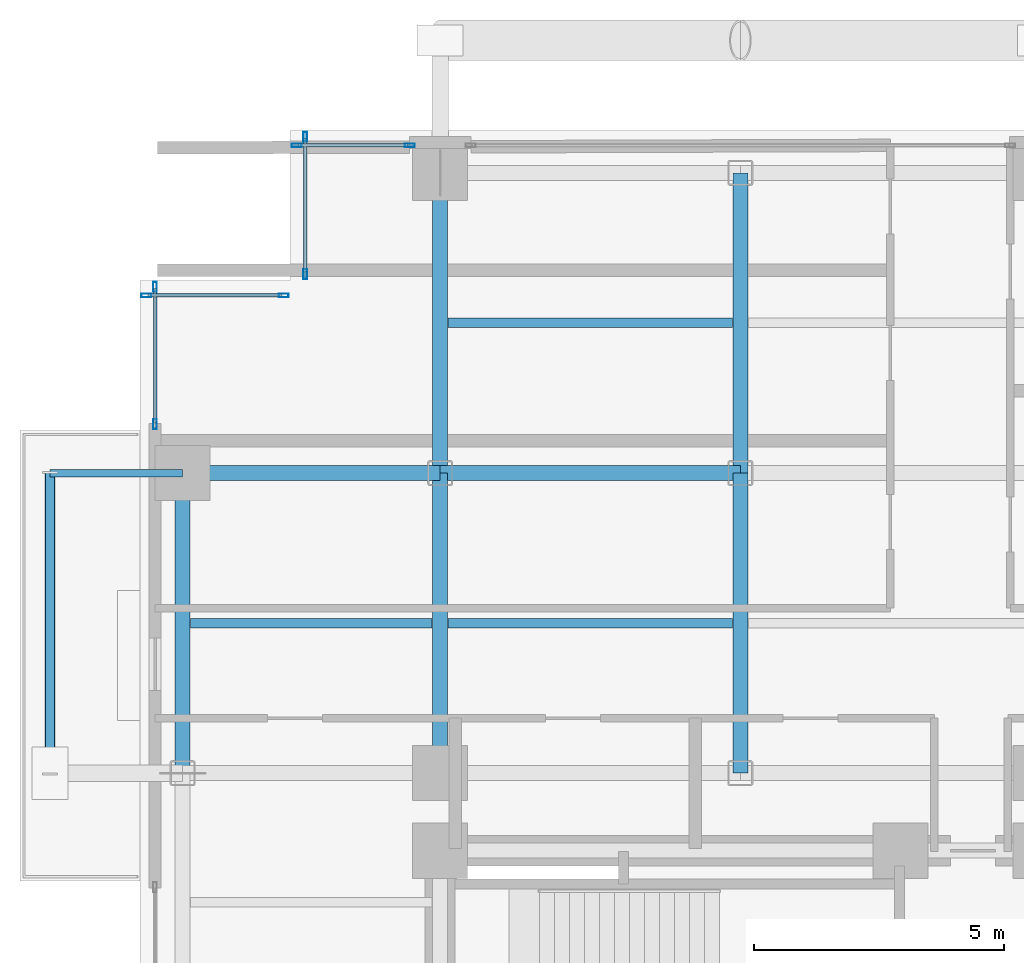
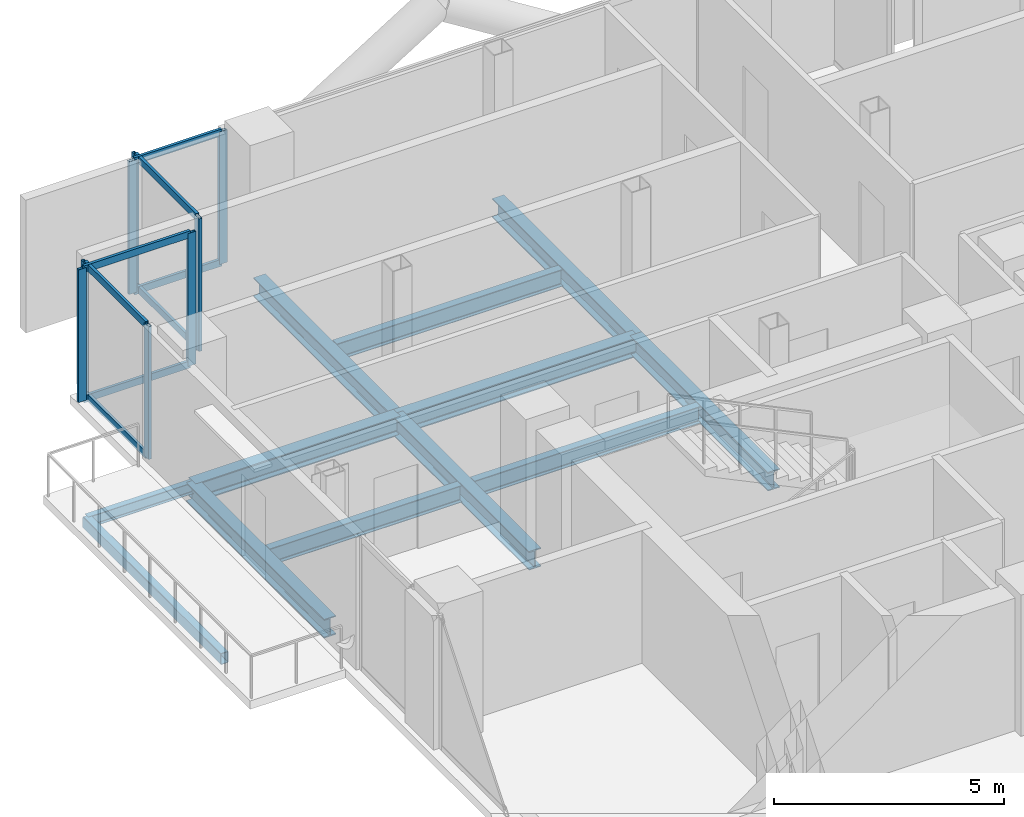
# One storey, part 15 of 28: 16 members, 12 beams, 4 elements without a shape of their own.
"""IFC4 building model written with IfcOpenShell, lengths in metres."""

from ifc_helpers import new_model, si_unit, direction, frame, origin, origin_2d, place, context, subcontext, project, spatial, hollow_rectangle, i_section, extrude, material, layer, layer_set, material_profile, profile_set, type_object, element, aggregate, save


model = new_model("IFC4")

# Units and contexts
model_context = context("Model", 3, precision=1e-05, world=origin(), true_north=direction((0.0, 1.0)))
body_context = subcontext(model_context, "Body", "Model", "MODEL_VIEW")
ifc_project = project(units=[si_unit("LENGTHUNIT", "METRE"), si_unit("AREAUNIT", "SQUARE_METRE"), si_unit("VOLUMEUNIT", "CUBIC_METRE"), si_unit("PLANEANGLEUNIT", "RADIAN"), si_unit("MASSUNIT", "GRAM", prefix="KILO"), si_unit("THERMODYNAMICTEMPERATUREUNIT", "KELVIN"), si_unit("POWERUNIT", "WATT")], contexts=[model_context])

# Site, building, storey
site_placement = place(None, origin())
site = spatial("IfcSite", under=ifc_project, at=site_placement, CompositionType="ELEMENT")
building_placement = place(site_placement, origin())
building = spatial("IfcBuilding", under=site, at=building_placement, Name="Svarakhadi Broadcast Tower", CompositionType="ELEMENT")
storey_placement = place(building_placement, frame((0.0, 0.0, 134.39990234375)))
storey = spatial("IfcBuildingStorey", under=building, at=storey_placement, Name="L32", CompositionType="ELEMENT", Elevation=134.39990234375)

# Beams
ifc_material_1 = material(Name="Steel S355J2 (IS 2062 E350C)", Category="steel")
ifc_material_profile_1 = material_profile(ifc_material_1, i_section(OverallWidth=0.18994140625, OverallDepth=0.449951171875, WebThickness=0.009521484375, FlangeThickness=0.0146484375, FilletRadius=0.02099609375, at=origin_2d()), Name="NPB 450x190x78")
ifc_profile_set_1 = profile_set([ifc_material_profile_1], Name="Steel S355J2 (IS 2062 E350C)")
beam_type_1 = type_object("IfcBeamType", Name="Beam_NPB450", PredefinedType="BEAM", material=ifc_profile_set_1)
beam_1_placement = place(storey_placement, frame((1.010009765625, 32.14990234375, -0.449951171875), z_axis=(1.0, 0.0, 0.0), x_axis=(0.0, 1.0, 0.0)))
element("IfcBeam", 1, at=beam_1_placement, inside=storey, type_object=beam_type_1, Name="L32 Secondary Composite Beam SB005", PredefinedType="BEAM", context=body_context, shape_type="SweptSolid", body=[
    extrude(i_section(OverallWidth=0.18994140625, OverallDepth=0.449951171875, WebThickness=0.009521484375, FlangeThickness=0.0146484375, FilletRadius=0.02099609375, at=origin_2d()), origin(), (0.0, 0.0, 1.0), 4.830078125),
])
for number, where, z_axis, x_axis, name in (
    (2, (6.159912109375, 32.14990234375, -0.449951171875), (1.0, 0.0, 0.0), (0.0, 1.0, 0.0), "L32 Secondary Composite Beam SB009"),
    (3, (6.159912109375, 38.14990234375, -0.449951171875), (1.0, 0.0, 0.0), (0.0, 1.0, 0.0), "L32 Secondary Composite Beam SB010"),
):
    element("IfcBeam", number, at=place(storey_placement, frame(where, z_axis=z_axis, x_axis=x_axis)), inside=storey, type_object=beam_type_1, Name=name, PredefinedType="BEAM", context=body_context, shape_type="SweptSolid", body=[
        extrude(i_section(OverallWidth=0.18994140625, OverallDepth=0.449951171875, WebThickness=0.009521484375, FlangeThickness=0.0146484375, FilletRadius=0.02099609375, at=origin_2d()), origin(), (0.0, 0.0, 1.0), 5.68017578125),
    ])

# Curtain wall, members
ifc_material_2 = material(Name="Anodised Bronze Aluminium AA 6063-T6", Category="aluminium")
ifc_layer = layer(ifc_material_2, 0.199951171875)
ifc_layer_set = layer_set([ifc_layer], Name="Anodised Bronze Aluminium AA 6063-T6")
curtain_wall_type = type_object("IfcCurtainWallType", Name="CW_Sys_03", PredefinedType="NOTDEFINED", material=ifc_layer_set)
curtain_wall_1_placement = place(storey_placement, origin())
curtain_wall_1 = element("IfcCurtainWall", 4, at=curtain_wall_1_placement, inside=storey, type_object=curtain_wall_type, Name="L32 West Curtain Wall 03", PredefinedType="NOTDEFINED")
ifc_material_profile_2 = material_profile(ifc_material_2, hollow_rectangle(XDim=0.074951171875, YDim=0.199951171875, WallThickness=0.005615234375, at=origin_2d()), Name="ALU MULLION 200x75x6")
ifc_profile_set_2 = profile_set([ifc_material_profile_2], Name="Anodised Bronze Aluminium AA 6063-T6")
member_type_1 = type_object("IfcMemberType", Name="CW_Sys_03_Mul", PredefinedType="MULLION", material=ifc_profile_set_2)
member_1_placement = place(storey_placement, frame((0.300048828125, 36.12744140625, 0.0), z_axis=(0.0, 0.0, 1.0), x_axis=(-1.0, 0.0, 0.0)))
member_1 = element("IfcMember", 5, at=member_1_placement, type_object=member_type_1, Name="CW-03 mullion 1", PredefinedType="MULLION", context=body_context, shape_type="SweptSolid", body=[
    extrude(hollow_rectangle(XDim=0.074951171875, YDim=0.199951171875, WallThickness=0.005615234375, at=origin_2d()), origin(), (0.0, 0.0, 1.0), 3.525146484375),
])
member_2_placement = place(storey_placement, frame((0.300048828125, 38.87255859375, 0.0), z_axis=(0.0, 0.0, 1.0), x_axis=(-1.0, 0.0, 0.0)))
member_2 = element("IfcMember", 6, at=member_2_placement, type_object=member_type_1, Name="CW-03 mullion 2", PredefinedType="MULLION", context=body_context, shape_type="SweptSolid", body=[
    extrude(hollow_rectangle(XDim=0.074951171875, YDim=0.199951171875, WallThickness=0.005615234375, at=origin_2d()), origin(), (0.0, 0.0, 1.0), 3.525146484375),
])

curtain_wall_2_placement = place(storey_placement, origin())
curtain_wall_2 = element("IfcCurtainWall", 7, at=curtain_wall_2_placement, inside=storey, type_object=curtain_wall_type, Name="L32 Unitised Facade Curtain Wall 04", PredefinedType="NOTDEFINED")
member_3_placement = place(storey_placement, frame((0.12744140625, 38.699951171875, 0.0), z_axis=(0.0, 0.0, 1.0), x_axis=(0.0, 1.0, 0.0)))
member_3 = element("IfcMember", 8, at=member_3_placement, type_object=member_type_1, Name="CW-03 mullion 1", PredefinedType="MULLION", context=body_context, shape_type="SweptSolid", body=[
    extrude(hollow_rectangle(XDim=0.074951171875, YDim=0.199951171875, WallThickness=0.005615234375, at=origin_2d()), origin(), (0.0, 0.0, 1.0), 3.525146484375),
])
member_4_placement = place(storey_placement, frame((2.87255859375, 38.699951171875, 0.0), z_axis=(0.0, 0.0, 1.0), x_axis=(0.0, 1.0, 0.0)))
member_4 = element("IfcMember", 9, at=member_4_placement, type_object=member_type_1, Name="CW-03 mullion 2", PredefinedType="MULLION", context=body_context, shape_type="SweptSolid", body=[
    extrude(hollow_rectangle(XDim=0.074951171875, YDim=0.199951171875, WallThickness=0.005615234375, at=origin_2d()), origin(), (0.0, 0.0, 1.0), 3.525146484375),
])

curtain_wall_3_placement = place(storey_placement, origin())
curtain_wall_3 = element("IfcCurtainWall", 10, at=curtain_wall_3_placement, inside=storey, type_object=curtain_wall_type, Name="L32 Unitised Facade Curtain Wall 05", PredefinedType="NOTDEFINED")
member_5_placement = place(storey_placement, frame((3.300048828125, 39.12744140625, 0.0), z_axis=(0.0, 0.0, 1.0), x_axis=(-1.0, 0.0, 0.0)))
member_5 = element("IfcMember", 11, at=member_5_placement, type_object=member_type_1, Name="CW-03 mullion 1", PredefinedType="MULLION", context=body_context, shape_type="SweptSolid", body=[
    extrude(hollow_rectangle(XDim=0.074951171875, YDim=0.199951171875, WallThickness=0.005615234375, at=origin_2d()), origin(), (0.0, 0.0, 1.0), 3.525146484375),
])
member_6_placement = place(storey_placement, frame((3.300048828125, 41.87255859375, 0.0), z_axis=(0.0, 0.0, 1.0), x_axis=(-1.0, 0.0, 0.0)))
member_6 = element("IfcMember", 12, at=member_6_placement, type_object=member_type_1, Name="CW-03 mullion 2", PredefinedType="MULLION", context=body_context, shape_type="SweptSolid", body=[
    extrude(hollow_rectangle(XDim=0.074951171875, YDim=0.199951171875, WallThickness=0.005615234375, at=origin_2d()), origin(), (0.0, 0.0, 1.0), 3.525146484375),
])

curtain_wall_4_placement = place(storey_placement, origin())
curtain_wall_4 = element("IfcCurtainWall", 13, at=curtain_wall_4_placement, inside=storey, type_object=curtain_wall_type, Name="L32 Unitised Facade Curtain Wall 06 Bay 1", PredefinedType="NOTDEFINED")
member_7_placement = place(storey_placement, frame((3.12744140625, 41.699951171875, 0.0), z_axis=(0.0, 0.0, 1.0), x_axis=(0.0, 1.0, 0.0)))
member_7 = element("IfcMember", 14, at=member_7_placement, type_object=member_type_1, Name="CW-03 mullion 1", PredefinedType="MULLION", context=body_context, shape_type="SweptSolid", body=[
    extrude(hollow_rectangle(XDim=0.074951171875, YDim=0.199951171875, WallThickness=0.005615234375, at=origin_2d()), origin(), (0.0, 0.0, 1.0), 3.525146484375),
])
member_8_placement = place(storey_placement, frame((5.392578125, 41.699951171875, 0.0), z_axis=(0.0, 0.0, 1.0), x_axis=(0.0, 1.0, 0.0)))
member_8 = element("IfcMember", 15, at=member_8_placement, type_object=member_type_1, Name="CW-03 mullion 2", PredefinedType="MULLION", context=body_context, shape_type="SweptSolid", body=[
    extrude(hollow_rectangle(XDim=0.074951171875, YDim=0.199951171875, WallThickness=0.005615234375, at=origin_2d()), origin(), (0.0, 0.0, 1.0), 3.525146484375),
])

# Member
ifc_material_profile_3 = material_profile(ifc_material_2, hollow_rectangle(XDim=0.070068359375, YDim=0.18505859375, WallThickness=0.0048828125, at=origin_2d()), Name="ALU TRANSOM 185x70x5")
ifc_profile_set_3 = profile_set([ifc_material_profile_3], Name="Anodised Bronze Aluminium AA 6063-T6")
member_type_2 = type_object("IfcMemberType", Name="CW_Sys_03_Trn", PredefinedType="USERDEFINED", material=ifc_profile_set_3)
member_9_placement = place(storey_placement, frame((0.300048828125, 36.1650390625, 0.03515625), z_axis=(0.0, 1.0, 0.0), x_axis=(-1.0, 0.0, 0.0)))
member_9 = element("IfcMember", 16, at=member_9_placement, type_object=member_type_2, Name="CW-03 transom 1.1", ObjectType="TRANSOM", PredefinedType="USERDEFINED", context=body_context, shape_type="SweptSolid", body=[
    extrude(hollow_rectangle(XDim=0.070068359375, YDim=0.18505859375, WallThickness=0.0048828125, at=origin_2d()), origin(), (0.0, 0.0, 1.0), 2.669921875),
])

member_10_placement = place(storey_placement, frame((0.300048828125, 36.1650390625, 3.489990234375), z_axis=(0.0, 1.0, 0.0), x_axis=(-1.0, 0.0, 0.0)))
member_10 = element("IfcMember", 17, at=member_10_placement, type_object=member_type_2, Name="CW-03 transom 1.2", ObjectType="TRANSOM", PredefinedType="USERDEFINED", context=body_context, shape_type="SweptSolid", body=[
    extrude(hollow_rectangle(XDim=0.070068359375, YDim=0.18505859375, WallThickness=0.0048828125, at=origin_2d()), origin(), (0.0, 0.0, 1.0), 2.669921875),
])

aggregate(curtain_wall_1, [member_1, member_2, member_9, member_10])

member_11_placement = place(storey_placement, frame((0.1650390625, 38.699951171875, 0.03515625), z_axis=(1.0, 0.0, 0.0), x_axis=(0.0, 1.0, 0.0)))
member_11 = element("IfcMember", 18, at=member_11_placement, type_object=member_type_2, Name="CW-03 transom 1.1", ObjectType="TRANSOM", PredefinedType="USERDEFINED", context=body_context, shape_type="SweptSolid", body=[
    extrude(hollow_rectangle(XDim=0.070068359375, YDim=0.18505859375, WallThickness=0.0048828125, at=origin_2d()), origin(), (0.0, 0.0, 1.0), 2.669921875),
])

member_12_placement = place(storey_placement, frame((0.1650390625, 38.699951171875, 3.489990234375), z_axis=(1.0, 0.0, 0.0), x_axis=(0.0, 1.0, 0.0)))
member_12 = element("IfcMember", 19, at=member_12_placement, type_object=member_type_2, Name="CW-03 transom 1.2", ObjectType="TRANSOM", PredefinedType="USERDEFINED", context=body_context, shape_type="SweptSolid", body=[
    extrude(hollow_rectangle(XDim=0.070068359375, YDim=0.18505859375, WallThickness=0.0048828125, at=origin_2d()), origin(), (0.0, 0.0, 1.0), 2.669921875),
])

aggregate(curtain_wall_2, [member_3, member_4, member_11, member_12])

member_13_placement = place(storey_placement, frame((3.300048828125, 39.1650390625, 0.03515625), z_axis=(0.0, 1.0, 0.0), x_axis=(-1.0, 0.0, 0.0)))
member_13 = element("IfcMember", 20, at=member_13_placement, type_object=member_type_2, Name="CW-03 transom 1.1", ObjectType="TRANSOM", PredefinedType="USERDEFINED", context=body_context, shape_type="SweptSolid", body=[
    extrude(hollow_rectangle(XDim=0.070068359375, YDim=0.18505859375, WallThickness=0.0048828125, at=origin_2d()), origin(), (0.0, 0.0, 1.0), 2.669921875),
])

member_14_placement = place(storey_placement, frame((3.300048828125, 39.1650390625, 3.489990234375), z_axis=(0.0, 1.0, 0.0), x_axis=(-1.0, 0.0, 0.0)))
member_14 = element("IfcMember", 21, at=member_14_placement, type_object=member_type_2, Name="CW-03 transom 1.2", ObjectType="TRANSOM", PredefinedType="USERDEFINED", context=body_context, shape_type="SweptSolid", body=[
    extrude(hollow_rectangle(XDim=0.070068359375, YDim=0.18505859375, WallThickness=0.0048828125, at=origin_2d()), origin(), (0.0, 0.0, 1.0), 2.669921875),
])

aggregate(curtain_wall_3, [member_5, member_6, member_13, member_14])

member_15_placement = place(storey_placement, frame((3.1650390625, 41.699951171875, 0.03515625), z_axis=(1.0, 0.0, 0.0), x_axis=(0.0, 1.0, 0.0)))
member_15 = element("IfcMember", 22, at=member_15_placement, type_object=member_type_2, Name="CW-03 transom 1.1", ObjectType="TRANSOM", PredefinedType="USERDEFINED", context=body_context, shape_type="SweptSolid", body=[
    extrude(hollow_rectangle(XDim=0.070068359375, YDim=0.18505859375, WallThickness=0.0048828125, at=origin_2d()), origin(), (0.0, 0.0, 1.0), 2.18994140625),
])

member_16_placement = place(storey_placement, frame((3.1650390625, 41.699951171875, 3.489990234375), z_axis=(1.0, 0.0, 0.0), x_axis=(0.0, 1.0, 0.0)))
member_16 = element("IfcMember", 23, at=member_16_placement, type_object=member_type_2, Name="CW-03 transom 1.2", ObjectType="TRANSOM", PredefinedType="USERDEFINED", context=body_context, shape_type="SweptSolid", body=[
    extrude(hollow_rectangle(XDim=0.070068359375, YDim=0.18505859375, WallThickness=0.0048828125, at=origin_2d()), origin(), (0.0, 0.0, 1.0), 2.18994140625),
])

aggregate(curtain_wall_4, [member_7, member_8, member_15, member_16])

# Beams
ifc_material_profile_4 = material_profile(ifc_material_1, i_section(OverallWidth=0.300048828125, OverallDepth=0.5, WebThickness=0.014404296875, FlangeThickness=0.028076171875, FilletRadius=0.027099609375, at=origin_2d()), Name="WPB 500x300x187")
ifc_profile_set_4 = profile_set([ifc_material_profile_4], Name="Steel S355J2 (IS 2062 E350C)")
beam_type_2 = type_object("IfcBeamType", Name="Girder_WPB500", PredefinedType="USERDEFINED", material=ifc_profile_set_4)
beam_2_placement = place(storey_placement, frame((0.85009765625, 35.14990234375, -0.474853515625), z_axis=(1.0, 0.0, 0.0), x_axis=(0.0, 1.0, 0.0)))
element("IfcBeam", 24, at=beam_2_placement, inside=storey, type_object=beam_type_2, Name="L32 Primary E-W Girder G035", ObjectType="GIRDER", PredefinedType="USERDEFINED", context=body_context, shape_type="SweptSolid", body=[
    extrude(i_section(OverallWidth=0.300048828125, OverallDepth=0.5, WebThickness=0.014404296875, FlangeThickness=0.028076171875, FilletRadius=0.027099609375, at=origin_2d()), origin(), (0.0, 0.0, 1.0), 5.14990234375),
])
for number, where, z_axis, x_axis, name in (
    (25, (6.0, 35.14990234375, -0.474853515625), (1.0, 0.0, 0.0), (0.0, 1.0, 0.0), "L32 Primary E-W Girder G036"),
    (26, (0.85009765625, 29.14990234375, -0.474853515625), (0.0, 1.0, 0.0), (-1.0, 0.0, 0.0), "L32 Primary N-S Girder G044"),
    (27, (6.0, 29.14990234375, -0.474853515625), (0.0, 1.0, 0.0), (-1.0, 0.0, 0.0), "L32 Primary N-S Girder G049"),
    (28, (6.0, 35.14990234375, -0.474853515625), (0.0, 1.0, 0.0), (-1.0, 0.0, 0.0), "L32 Primary N-S Girder G050"),
    (29, (12.0, 29.14990234375, -0.474853515625), (0.0, 1.0, 0.0), (-1.0, 0.0, 0.0), "L32 Primary N-S Girder G054"),
    (30, (12.0, 35.14990234375, -0.474853515625), (0.0, 1.0, 0.0), (-1.0, 0.0, 0.0), "L32 Primary N-S Girder G055"),
):
    element("IfcBeam", number, at=place(storey_placement, frame(where, z_axis=z_axis, x_axis=x_axis)), inside=storey, type_object=beam_type_2, Name=name, ObjectType="GIRDER", PredefinedType="USERDEFINED", context=body_context, shape_type="SweptSolid", body=[
        extrude(i_section(OverallWidth=0.300048828125, OverallDepth=0.5, WebThickness=0.014404296875, FlangeThickness=0.028076171875, FilletRadius=0.027099609375, at=origin_2d()), origin(), (0.0, 0.0, 1.0), 6.0),
    ])
ifc_material_profile_5 = material_profile(ifc_material_1, i_section(OverallWidth=0.14990234375, OverallDepth=0.300048828125, WebThickness=0.007080078125, FlangeThickness=0.0107421875, FilletRadius=0.014892578125, at=origin_2d()), Name="NPB 300x150x37")
ifc_profile_set_5 = profile_set([ifc_material_profile_5], Name="Steel S355J2 (IS 2062 E350C)")
beam_type_3 = type_object("IfcBeamType", Name="Spandrel_NPB300", PredefinedType="SPANDREL", material=ifc_profile_set_5)
beam_3_placement = place(storey_placement, frame((0.85009765625, 35.14990234375, -0.375), z_axis=(-1.0, 0.0, 0.0), x_axis=(0.0, -1.0, 0.0)))
element("IfcBeam", 31, at=beam_3_placement, inside=storey, type_object=beam_type_3, Name="L32 Balcony Cantilever Bracket 2B", PredefinedType="SPANDREL", context=body_context, shape_type="SweptSolid", body=[
    extrude(i_section(OverallWidth=0.14990234375, OverallDepth=0.300048828125, WebThickness=0.007080078125, FlangeThickness=0.0107421875, FilletRadius=0.014892578125, at=origin_2d()), origin(), (0.0, 0.0, 1.0), 2.650146484375),
])
ifc_material_3 = material(Name="Steel S460ML (IS 2062 E450BR)", Category="steel")
ifc_material_profile_6 = material_profile(ifc_material_3, hollow_rectangle(XDim=0.199951171875, YDim=0.300048828125, WallThickness=0.012451171875, InnerFilletRadius=0.012451171875, OuterFilletRadius=0.02490234375, at=origin_2d()), Name="RHS 300x200x12.5")
ifc_profile_set_6 = profile_set([ifc_material_profile_6], Name="Steel S460ML (IS 2062 E450BR)")
beam_type_4 = type_object("IfcBeamType", Name="Spandrel_RHS300", PredefinedType="SPANDREL", material=ifc_profile_set_6)
beam_4_placement = place(storey_placement, frame((-1.800048828125, 29.14990234375, -0.375), z_axis=(0.0, 1.0, 0.0), x_axis=(-1.0, 0.0, 0.0)))
element("IfcBeam", 32, at=beam_4_placement, inside=storey, type_object=beam_type_4, Name="L32 Balcony Outer Spandrel 2F", PredefinedType="SPANDREL", context=body_context, shape_type="SweptSolid", body=[
    extrude(hollow_rectangle(XDim=0.199951171875, YDim=0.300048828125, WallThickness=0.012451171875, InnerFilletRadius=0.012451171875, OuterFilletRadius=0.02490234375, at=origin_2d()), origin(), (0.0, 0.0, 1.0), 6.0),
])

save(model, "model.ifc")
